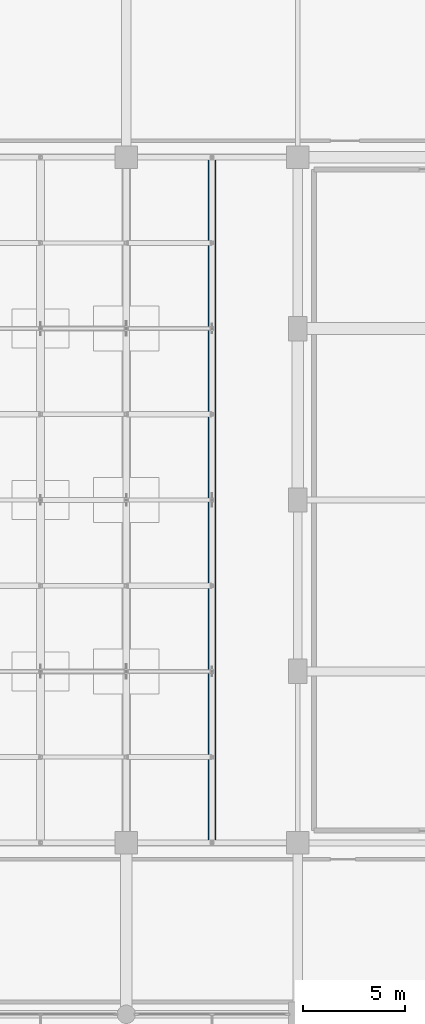
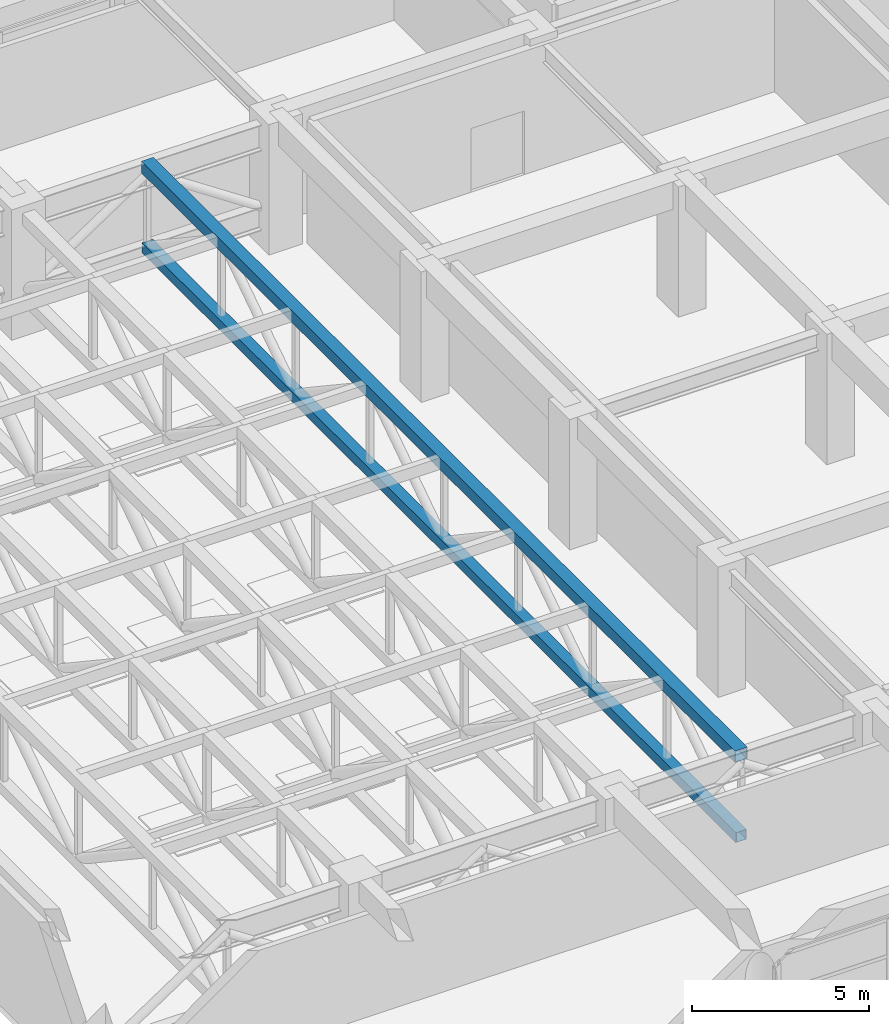
# One storey, part 21 of 47: 2 beams.
"""IFC4 building model written with IfcOpenShell, lengths in metres."""

from ifc_helpers import new_model, si_unit, direction, frame, origin, origin_2d, place, context, subcontext, project, spatial, hollow_rectangle, extrude, material, material_profile, profile_set, type_object, element, save


model = new_model("IFC4")

# Units and contexts
model_context = context("Model", 3, precision=1e-05, world=origin(), true_north=direction((0.0, 1.0)))
body_context = subcontext(model_context, "Body", "Model", "MODEL_VIEW")
ifc_project = project(units=[si_unit("LENGTHUNIT", "METRE"), si_unit("AREAUNIT", "SQUARE_METRE"), si_unit("VOLUMEUNIT", "CUBIC_METRE"), si_unit("PLANEANGLEUNIT", "RADIAN"), si_unit("MASSUNIT", "GRAM", prefix="KILO")], contexts=[model_context])

# Site, building, storey
site_placement = place(None, origin())
site = spatial("IfcSite", under=ifc_project, at=site_placement, CompositionType="ELEMENT")
building_placement = place(site_placement, origin())
building = spatial("IfcBuilding", under=site, at=building_placement, Name="Xuanlan Plaza Opera House", CompositionType="ELEMENT")
storey_placement = place(building_placement, frame((0.0, 0.0, 23.39990234375)))
storey = spatial("IfcBuildingStorey", under=building, at=storey_placement, Name="L05", CompositionType="ELEMENT", Elevation=23.39990234375)

# Beams
ifc_material = material(Name="Steel Q390B", Category="steel")
ifc_material_profile_1 = material_profile(ifc_material, hollow_rectangle(XDim=0.39990234375, YDim=0.39990234375, WallThickness=0.02001953125, at=origin_2d()), Name="SHS 400x400x20")
ifc_profile_set_1 = profile_set([ifc_material_profile_1], Name="Steel Q390B")
beam_type_1 = type_object("IfcBeamType", Name="STR-BM-TCH-03", PredefinedType="BEAM", material=ifc_profile_set_1)
beam_1_placement = place(storey_placement, frame((88.199951171875, 42.0, 4.05908203125), z_axis=(0.0, 1.0, 0.0), x_axis=(-1.0, 0.0, 0.0)))
element("IfcBeam", 1, at=beam_1_placement, inside=storey, type_object=beam_type_1, Name="Auditorium Roof Truss AUD-05 Top Chord Girder", PredefinedType="BEAM", context=body_context, shape_type="SweptSolid", body=[
    extrude(hollow_rectangle(XDim=0.39990234375, YDim=0.39990234375, WallThickness=0.02001953125, at=origin_2d()), origin(), (0.0, 0.0, 1.0), 33.60009765625),
])
ifc_material_profile_2 = material_profile(ifc_material, hollow_rectangle(XDim=0.35009765625, YDim=0.35009765625, WallThickness=0.01611328125, at=origin_2d()), Name="SHS 350x350x16")
ifc_profile_set_2 = profile_set([ifc_material_profile_2], Name="Steel Q390B")
beam_type_2 = type_object("IfcBeamType", Name="STR-BM-TCH-04", PredefinedType="BEAM", material=ifc_profile_set_2)
beam_2_placement = place(storey_placement, frame((88.199951171875, 42.0, 1.259033203125), z_axis=(0.0, 1.0, 0.0), x_axis=(-1.0, 0.0, 0.0)))
element("IfcBeam", 2, at=beam_2_placement, inside=storey, type_object=beam_type_2, Name="Auditorium Roof Truss AUD-05 Bottom Chord Girder", PredefinedType="BEAM", context=body_context, shape_type="SweptSolid", body=[
    extrude(hollow_rectangle(XDim=0.35009765625, YDim=0.35009765625, WallThickness=0.01611328125, at=origin_2d()), origin(), (0.0, 0.0, 1.0), 33.60009765625),
])

save(model, "model.ifc")
